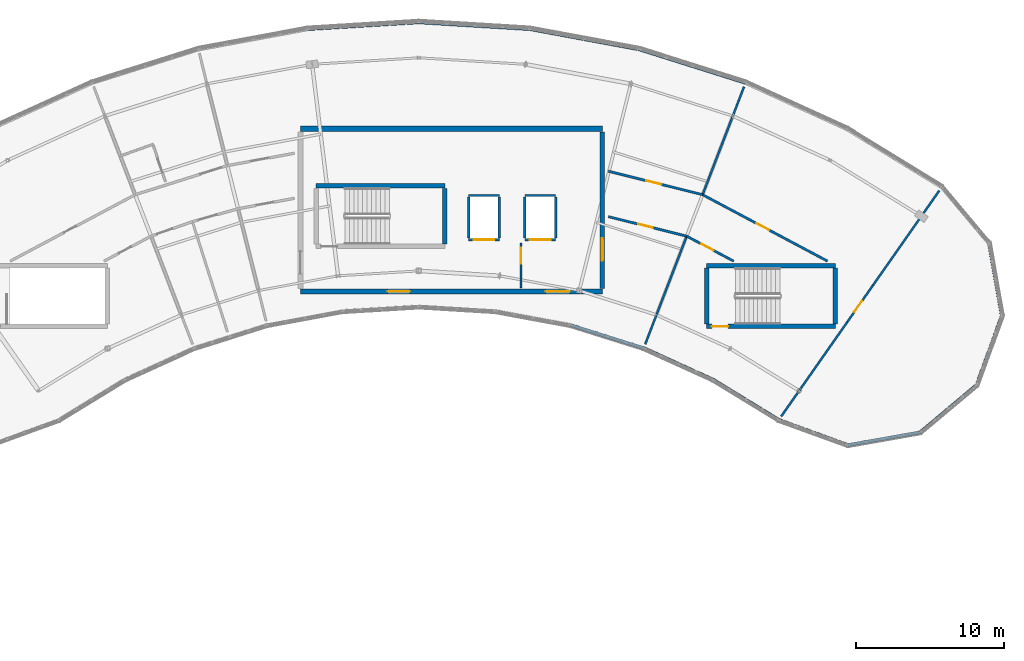
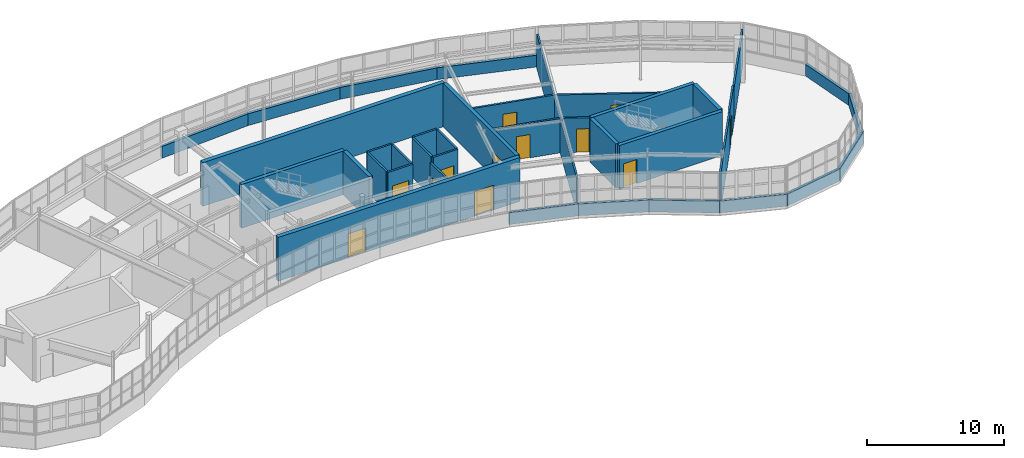
# One storey, part 56 of 60: 39 walls, 12 doors, 12 openings.
"""IFC4 building model written with IfcOpenShell, lengths in metres."""

from ifc_helpers import new_model, si_unit, direction, frame, frame_2d, origin, place, context, subcontext, project, spatial, rectangle, extrude, material, layer, layer_set, type_object, element, fill, save


model = new_model("IFC4")

# Units and contexts
model_context = context("Model", 3, precision=1e-05, world=origin(), true_north=direction((0.0, 1.0)))
body_context = subcontext(model_context, "Body", "Model", "MODEL_VIEW")
ifc_project = project(units=[si_unit("LENGTHUNIT", "METRE"), si_unit("AREAUNIT", "SQUARE_METRE"), si_unit("VOLUMEUNIT", "CUBIC_METRE"), si_unit("PLANEANGLEUNIT", "RADIAN"), si_unit("MASSUNIT", "GRAM", prefix="KILO")], contexts=[model_context])

# Site, building, storey
site_placement = place(None, origin())
site = spatial("IfcSite", under=ifc_project, at=site_placement, CompositionType="ELEMENT")
building_placement = place(site_placement, origin())
building = spatial("IfcBuilding", under=site, at=building_placement, Name="Tarnwether General Hospital", CompositionType="ELEMENT")
storey_placement = place(building_placement, frame((0.0, 0.0, 26.10009765625)))
storey = spatial("IfcBuildingStorey", under=building, at=storey_placement, Name="L06", CompositionType="ELEMENT", Elevation=26.10009765625)

# Walls
ifc_material_1 = material(Name="Streamlined white enamelled aluminium", Category="aluminium")
ifc_layer_1 = layer(ifc_material_1, 0.219970703125)
ifc_layer_set_1 = layer_set([ifc_layer_1], Name="Streamlined white enamelled aluminium")
wall_type_1 = type_object("IfcWallType", Name="WL-EX220", PredefinedType="STANDARD", material=ifc_layer_set_1)
wall_1_placement = place(storey_placement, frame((107.195068359375, 102.583984375, 0.0), z_axis=(0.0, 0.0, 1.0), x_axis=(-0.953706582316, 0.300738681994, 0.0)))
element("IfcWall", 1, at=wall_1_placement, inside=storey, type_object=wall_type_1, Name="Ward NW Streamlined White Spandrel EW-L06-0109", PredefinedType="STANDARD", context=body_context, shape_type="SweptSolid", body=[
    extrude(rectangle(XDim=5.177734375, YDim=0.219970703125, at=frame_2d((2.5888671875, 0.0))), origin(), (0.0, 0.0, 1.0), 1.0498046875),
])
for number, where, z_axis, x_axis, name in (
    (2, (111.906005859375, 100.43701171875, 0.0), (0.0, 0.0, 1.0), (-0.909955822384, 0.414705198074, 0.0), "Ward NW Streamlined White Spandrel EW-L06-0110"),
    (3, (116.320068359375, 97.73193359375, 0.0), (0.0, 0.0, 1.0), (-0.852628362135, 0.522517823698, 0.0), "Ward NW Streamlined White Spandrel EW-L06-0111"),
):
    element("IfcWall", number, at=place(storey_placement, frame(where, z_axis=z_axis, x_axis=x_axis)), inside=storey, type_object=wall_type_1, Name=name, PredefinedType="STANDARD", context=body_context, shape_type="SweptSolid", body=[
        extrude(rectangle(XDim=5.177001953125, YDim=0.219970703125, at=frame_2d((2.58837890625, 0.0))), origin(), (0.0, 0.0, 1.0), 1.0498046875),
    ])
wall_2_placement = place(storey_placement, frame((120.989013671875, 96.031982421875, 0.0), z_axis=(0.0, 0.0, 1.0), x_axis=(-0.939654190044, 0.34212571247, 0.0)))
element("IfcWall", 4, at=wall_2_placement, inside=storey, type_object=wall_type_1, Name="Ward NW Streamlined White Spandrel EW-L06-0112", PredefinedType="STANDARD", context=body_context, shape_type="SweptSolid", body=[
    extrude(rectangle(XDim=4.96875, YDim=0.219970703125, at=frame_2d((2.484375, 0.0))), origin(), (0.0, 0.0, 1.0), 1.0498046875),
])
wall_3_placement = place(storey_placement, frame((125.883056640625, 96.89501953125, 0.0), z_axis=(0.0, 0.0, 1.0), x_axis=(-0.984804817938, -0.173664822479, 0.0)))
element("IfcWall", 5, at=wall_3_placement, inside=storey, type_object=wall_type_1, Name="Ward NW Streamlined White Spandrel EW-L06-0113", PredefinedType="STANDARD", context=body_context, shape_type="SweptSolid", body=[
    extrude(rectangle(XDim=4.969482421875, YDim=0.219970703125, at=frame_2d((2.48486328125, 0.0))), origin(), (0.0, 0.0, 1.0), 1.0498046875),
])
wall_4_placement = place(storey_placement, frame((129.68994140625, 100.090087890625, 0.0), z_axis=(0.0, 0.0, 1.0), x_axis=(-0.765973821879, -0.642871763415, 0.0)))
element("IfcWall", 6, at=wall_4_placement, inside=storey, type_object=wall_type_1, Name="Ward NW Streamlined White Spandrel EW-L06-0114", PredefinedType="STANDARD", context=body_context, shape_type="SweptSolid", body=[
    extrude(rectangle(XDim=4.969970703125, YDim=0.219970703125, at=frame_2d((2.48486328125, 0.0))), origin(), (0.0, 0.0, 1.0), 1.0498046875),
])
wall_5_placement = place(storey_placement, frame((131.388916015625, 104.759033203125, 0.0), z_axis=(0.0, 0.0, 1.0), x_axis=(-0.341952160632, -0.939717361678, 0.0)))
element("IfcWall", 7, at=wall_5_placement, inside=storey, type_object=wall_type_1, Name="Ward NW Streamlined White Spandrel EW-L06-0115", PredefinedType="STANDARD", context=body_context, shape_type="SweptSolid", body=[
    extrude(rectangle(XDim=4.968505859375, YDim=0.219970703125, at=frame_2d((2.484375, 0.0))), origin(), (0.0, 0.0, 1.0), 1.0498046875),
])
wall_6_placement = place(storey_placement, frame((130.527099609375, 109.653076171875, 0.0), z_axis=(0.0, 0.0, 1.0), x_axis=(0.173426579259, -0.984846801085, 0.0)))
element("IfcWall", 8, at=wall_6_placement, inside=storey, type_object=wall_type_1, Name="Ward NW Streamlined White Spandrel EW-L06-0116", PredefinedType="STANDARD", context=body_context, shape_type="SweptSolid", body=[
    extrude(rectangle(XDim=4.96923828125, YDim=0.219970703125, at=frame_2d((2.484619140625, 0.0))), origin(), (0.0, 0.0, 1.0), 1.0498046875),
])
wall_7_placement = place(storey_placement, frame((106.902099609375, 122.77001953125, 0.0), z_axis=(0.0, 0.0, 1.0), x_axis=(0.953740021466, -0.300632618747, 0.0)))
element("IfcWall", 9, at=wall_7_placement, inside=storey, type_object=wall_type_1, Name="Ward NW Streamlined White Spandrel EW-L06-0120", PredefinedType="STANDARD", context=body_context, shape_type="SweptSolid", body=[
    extrude(rectangle(XDim=7.520751953125, YDim=0.219970703125, at=frame_2d((3.76025390625, 0.0))), origin(), (0.0, 0.0, 1.0), 1.0498046875),
])
for number, where, z_axis, x_axis, name in (
    (10, (99.507080078125, 124.14111328125, 0.0), (0.0, 0.0, 1.0), (0.983242805192, -0.18230081195, 0.0), "Ward NW Streamlined White Spandrel EW-L06-0121"),
    (11, (92.0, 124.60009765625, 0.0), (0.0, 0.0, 1.0), (0.99813616181, -0.061026244242, 0.0), "Ward NW Streamlined White Spandrel EW-L06-0122"),
    (12, (84.492919921875, 124.14111328125, 0.0), (0.0, 0.0, 1.0), (0.99813616181, 0.061026244242, 0.0), "Ward NW Streamlined White Spandrel EW-L06-0123"),
):
    element("IfcWall", number, at=place(storey_placement, frame(where, z_axis=z_axis, x_axis=x_axis)), inside=storey, type_object=wall_type_1, Name=name, PredefinedType="STANDARD", context=body_context, shape_type="SweptSolid", body=[
        extrude(rectangle(XDim=7.52099609375, YDim=0.219970703125, at=frame_2d((3.760498046875, 0.0))), origin(), (0.0, 0.0, 1.0), 1.0498046875),
    ])
ifc_material_2 = material(Name="Gypsum plasterboard")
ifc_layer_2 = layer(ifc_material_2, 0.139892578125)
ifc_layer_set_2 = layer_set([ifc_layer_2], Name="Gypsum plasterboard")
wall_type_2 = type_object("IfcWallType", Name="WL-PT140", PredefinedType="PARTITIONING", material=ifc_layer_set_2)
wall_8_placement = place(storey_placement, frame((111.173095703125, 112.947021484375, 0.0), z_axis=(0.0, 0.0, 1.0), x_axis=(0.358342954102, 0.933590020965, 0.0)))
element("IfcWall", 13, at=wall_8_placement, inside=storey, type_object=wall_type_2, Name="Interior Partition PT-L06-0486", PredefinedType="PARTITIONING", context=body_context, shape_type="SweptSolid", body=[
    extrude(rectangle(XDim=7.8193359375, YDim=0.139892578125, at=frame_2d((3.90966796875, 0.0))), origin(), (0.0, 0.0, 1.0), 3.072998046875),
])
wall_9_placement = place(storey_placement, frame((110.097900390625, 110.14599609375, 0.0), z_axis=(0.0, 0.0, 1.0), x_axis=(-0.358410014332, -0.933564278251, 0.0)))
element("IfcWall", 14, at=wall_9_placement, inside=storey, type_object=wall_type_2, Name="Interior Partition PT-L06-0488", PredefinedType="PARTITIONING", context=body_context, shape_type="SweptSolid", body=[
    extrude(rectangle(XDim=7.820556640625, YDim=0.139892578125, at=frame_2d((3.91015625, 0.0))), origin(), (0.0, 0.0, 1.0), 3.072998046875),
])
wall_10_placement = place(storey_placement, frame((122.68603515625, 106.824951171875, 0.0), z_axis=(0.0, 0.0, 1.0), x_axis=(0.573682336084, 0.819077882295, 0.0)))
element("IfcWall", 15, at=wall_10_placement, inside=storey, type_object=wall_type_2, Name="Interior Partition PT-L06-0490", PredefinedType="PARTITIONING", context=body_context, shape_type="SweptSolid", body=[
    extrude(rectangle(XDim=7.81982421875, YDim=0.139892578125, at=frame_2d((3.909912109375, 0.0))), origin(), (0.0, 0.0, 1.0), 3.126953125),
])
wall_11_placement = place(storey_placement, frame((120.966064453125, 104.366943359375, 0.0), z_axis=(0.0, 0.0, 1.0), x_axis=(-0.573623659169, -0.819118976487, 0.0)))
element("IfcWall", 16, at=wall_11_placement, inside=storey, type_object=wall_type_2, Name="Interior Partition PT-L06-0492", PredefinedType="PARTITIONING", context=body_context, shape_type="SweptSolid", body=[
    extrude(rectangle(XDim=7.820556640625, YDim=0.139892578125, at=frame_2d((3.91015625, 0.0))), origin(), (0.0, 0.0, 1.0), 3.22998046875),
])

# Wall, opening, door
wall_12_placement = place(storey_placement, frame((120.966064453125, 104.366943359375, 0.0), z_axis=(0.0, 0.0, 1.0), x_axis=(0.573320330817, 0.819331311663, 0.0)))
wall_12 = element("IfcWall", 17, at=wall_12_placement, inside=storey, type_object=wall_type_2, Name="Interior Partition PT-L06-0494", PredefinedType="PARTITIONING", context=body_context, shape_type="SweptSolid", body=[
    extrude(rectangle(XDim=3.0, YDim=0.139892578125, at=frame_2d((1.5, 0.0))), origin(), (0.0, 0.0, 1.0), 3.544921875),
])
opening_1_placement = place(wall_12_placement, frame((0.800048828125, 0.0, 0.0)))
opening_1 = element("IfcOpeningElement", 18, at=opening_1_placement, cuts=wall_12, Name="Opening D-12", PredefinedType="OPENING", context=body_context, shape_type="SweptSolid", body=[
    extrude(rectangle(XDim=0.919921875, YDim=2.0400390625, at=frame_2d((0.4599609375, 1.02001953125))), frame((0.0, 0.080078125, 0.0), z_axis=(0.0, -1.0, 0.0), x_axis=(1.0, 0.0, 0.0)), (0.0, 0.0, 1.0), 0.159912109375),
])
ifc_material_3 = material(Name="Anodised aluminium", Category="aluminium")
door_type_1 = type_object("IfcDoorType", Name="DR-IN12", OperationType="NOTDEFINED", PredefinedType="DOOR", material=ifc_material_3)
door_1_placement = place(opening_1_placement, origin())
door_1 = element("IfcDoor", 19, at=door_1_placement, inside=storey, type_object=door_type_1, Name="Interior Door DR-L06-0273", OperationType="SINGLE_SWING_LEFT", OverallHeight=2.0400390625, OverallWidth=0.919921875, PredefinedType="DOOR", context=body_context, shape_type="SweptSolid", body=[
    extrude(rectangle(XDim=0.919921875, YDim=2.0400390625, at=frame_2d((0.4599609375, 1.02001953125))), frame((0.0, 0.02490234375, 0.0), z_axis=(0.0, -1.0, 0.0), x_axis=(1.0, 0.0, 0.0)), (0.0, 0.0, 1.0), 0.050048828125),
])
fill(opening_1, door_1)

ifc_material_4 = material(Name="Gypsum plasterboard")
ifc_layer_3 = layer(ifc_material_4, 0.159912109375)
ifc_layer_set_3 = layer_set([ifc_layer_3], Name="Gypsum plasterboard")
wall_type_3 = type_object("IfcWallType", Name="WL-PT160", PredefinedType="PARTITIONING", material=ifc_layer_set_3)
wall_13_placement = place(storey_placement, frame((95.360107421875, 109.909912109375, 0.0), z_axis=(0.0, 0.0, 1.0), x_axis=(1.0, 0.0, 0.0)))
wall_13 = element("IfcWall", 20, at=wall_13_placement, inside=storey, type_object=wall_type_3, Name="Lift L-01 Shaft Wall LSH-L-01-L06-S", PredefinedType="PARTITIONING", context=body_context, shape_type="SweptSolid", body=[
    extrude(rectangle(XDim=2.079833984375, YDim=0.159912109375, at=frame_2d((1.0400390625, 0.0))), origin(), (0.0, 0.0, 1.0), 3.544921875),
])
opening_2_placement = place(wall_13_placement, frame((0.340087890625, 0.0, 0.0)))
opening_2 = element("IfcOpeningElement", 21, at=opening_2_placement, cuts=wall_13, Name="Opening LD-01", PredefinedType="OPENING", context=body_context, shape_type="SweptSolid", body=[
    extrude(rectangle(XDim=1.39990234375, YDim=2.199951171875, at=frame_2d((0.699951171875, 1.10009765625))), frame((0.0, 0.08984375, 0.0), z_axis=(0.0, -1.0, 0.0), x_axis=(1.0, 0.0, 0.0)), (0.0, 0.0, 1.0), 0.179931640625),
])
ifc_material_5 = material(Name="Anodised aluminium", Category="aluminium")
door_type_2 = type_object("IfcDoorType", Name="DR-LD01", OperationType="NOTDEFINED", PredefinedType="DOOR", material=ifc_material_5)
door_2_placement = place(opening_2_placement, origin())
door_2 = element("IfcDoor", 22, at=door_2_placement, inside=storey, type_object=door_type_2, Name="Lift L-01 Sliding Landing Door L06", OperationType="SLIDING_TO_RIGHT", OverallHeight=2.199951171875, OverallWidth=1.39990234375, PredefinedType="DOOR", context=body_context, shape_type="SweptSolid", body=[
    extrude(rectangle(XDim=1.39990234375, YDim=2.199951171875, at=frame_2d((0.699951171875, 1.10009765625))), frame((0.0, 0.02490234375, 0.0), z_axis=(0.0, -1.0, 0.0), x_axis=(1.0, 0.0, 0.0)), (0.0, 0.0, 1.0), 0.050048828125),
])
fill(opening_2, door_2)

# Walls
wall_14_placement = place(storey_placement, frame((97.43994140625, 112.889892578125, 0.0), z_axis=(0.0, 0.0, 1.0), x_axis=(-1.0, 0.0, 0.0)))
element("IfcWall", 23, at=wall_14_placement, inside=storey, type_object=wall_type_3, Name="Lift L-01 Shaft Wall LSH-L-01-L06-N", PredefinedType="PARTITIONING", context=body_context, shape_type="SweptSolid", body=[
    extrude(rectangle(XDim=2.079833984375, YDim=0.159912109375, at=frame_2d((1.0400390625, 0.0))), origin(), (0.0, 0.0, 1.0), 3.544921875),
])
for number, where, z_axis, x_axis, name in (
    (24, (95.360107421875, 112.7900390625, 0.0), (0.0, 0.0, 1.0), (0.0, -1.0, 0.0), "Lift L-01 Shaft Wall LSH-L-01-L06-W"),
    (25, (97.43994140625, 110.010009765625, 0.0), (0.0, 0.0, 1.0), (0.0, 1.0, 0.0), "Lift L-01 Shaft Wall LSH-L-01-L06-E"),
):
    element("IfcWall", number, at=place(storey_placement, frame(where, z_axis=z_axis, x_axis=x_axis)), inside=storey, type_object=wall_type_3, Name=name, PredefinedType="PARTITIONING", context=body_context, shape_type="SweptSolid", body=[
        extrude(rectangle(XDim=2.780029296875, YDim=0.159912109375, at=frame_2d((1.39013671875, 0.0))), origin(), (0.0, 0.0, 1.0), 3.544921875),
    ])

# Wall, opening, door
wall_15_placement = place(storey_placement, frame((99.159912109375, 109.909912109375, 0.0), z_axis=(0.0, 0.0, 1.0), x_axis=(1.0, 0.0, 0.0)))
wall_15 = element("IfcWall", 26, at=wall_15_placement, inside=storey, type_object=wall_type_3, Name="Lift L-03 Shaft Wall LSH-L-03-L06-S", PredefinedType="PARTITIONING", context=body_context, shape_type="SweptSolid", body=[
    extrude(rectangle(XDim=2.080078125, YDim=0.159912109375, at=frame_2d((1.0400390625, 0.0))), origin(), (0.0, 0.0, 1.0), 3.544921875),
])
opening_3_placement = place(wall_15_placement, frame((0.340087890625, 0.0, 0.0)))
opening_3 = element("IfcOpeningElement", 27, at=opening_3_placement, cuts=wall_15, Name="Opening LD-01", PredefinedType="OPENING", context=body_context, shape_type="SweptSolid", body=[
    extrude(rectangle(XDim=1.39990234375, YDim=2.199951171875, at=frame_2d((0.699951171875, 1.10009765625))), frame((0.0, 0.08984375, 0.0), z_axis=(0.0, -1.0, 0.0), x_axis=(1.0, 0.0, 0.0)), (0.0, 0.0, 1.0), 0.179931640625),
])
door_3_placement = place(opening_3_placement, origin())
door_3 = element("IfcDoor", 28, at=door_3_placement, inside=storey, type_object=door_type_2, Name="Lift L-03 Sliding Landing Door L06", OperationType="SLIDING_TO_RIGHT", OverallHeight=2.199951171875, OverallWidth=1.39990234375, PredefinedType="DOOR", context=body_context, shape_type="SweptSolid", body=[
    extrude(rectangle(XDim=1.39990234375, YDim=2.199951171875, at=frame_2d((0.699951171875, 1.10009765625))), frame((0.0, 0.02490234375, 0.0), z_axis=(0.0, -1.0, 0.0), x_axis=(1.0, 0.0, 0.0)), (0.0, 0.0, 1.0), 0.050048828125),
])
fill(opening_3, door_3)

# Walls
wall_16_placement = place(storey_placement, frame((101.239990234375, 112.889892578125, 0.0), z_axis=(0.0, 0.0, 1.0), x_axis=(-1.0, 0.0, 0.0)))
element("IfcWall", 29, at=wall_16_placement, inside=storey, type_object=wall_type_3, Name="Lift L-03 Shaft Wall LSH-L-03-L06-N", PredefinedType="PARTITIONING", context=body_context, shape_type="SweptSolid", body=[
    extrude(rectangle(XDim=2.080078125, YDim=0.159912109375, at=frame_2d((1.0400390625, 0.0))), origin(), (0.0, 0.0, 1.0), 3.544921875),
])
for number, where, z_axis, x_axis, name in (
    (30, (99.159912109375, 112.7900390625, 0.0), (0.0, 0.0, 1.0), (0.0, -1.0, 0.0), "Lift L-03 Shaft Wall LSH-L-03-L06-W"),
    (31, (101.239990234375, 110.010009765625, 0.0), (0.0, 0.0, 1.0), (0.0, 1.0, 0.0), "Lift L-03 Shaft Wall LSH-L-03-L06-E"),
):
    element("IfcWall", number, at=place(storey_placement, frame(where, z_axis=z_axis, x_axis=x_axis)), inside=storey, type_object=wall_type_3, Name=name, PredefinedType="PARTITIONING", context=body_context, shape_type="SweptSolid", body=[
        extrude(rectangle(XDim=2.780029296875, YDim=0.159912109375, at=frame_2d((1.39013671875, 0.0))), origin(), (0.0, 0.0, 1.0), 3.544921875),
    ])

# Wall, opening, door
wall_17_placement = place(storey_placement, frame((98.89990234375, 106.64990234375, 0.0), z_axis=(0.0, 0.0, 1.0), x_axis=(0.0, 1.0, 0.0)))
wall_17 = element("IfcWall", 32, at=wall_17_placement, inside=storey, type_object=wall_type_3, Name="Firefighting Lobby Divider K1 L06", PredefinedType="PARTITIONING", context=body_context, shape_type="SweptSolid", body=[
    extrude(rectangle(XDim=3.050048828125, YDim=0.159912109375, at=frame_2d((1.52490234375, 0.0))), origin(), (0.0, 0.0, 1.0), 3.27978515625),
])
opening_4_placement = place(wall_17_placement, frame((1.6298828125, 0.0, 0.0)))
opening_4 = element("IfcOpeningElement", 33, at=opening_4_placement, cuts=wall_17, Name="Opening FD-06", PredefinedType="OPENING", context=body_context, shape_type="SweptSolid", body=[
    extrude(rectangle(XDim=1.10009765625, YDim=2.14990234375, at=frame_2d((0.550048828125, 1.074951171875))), frame((0.0, 0.08984375, 0.0), z_axis=(0.0, -1.0, 0.0), x_axis=(1.0, 0.0, 0.0)), (0.0, 0.0, 1.0), 0.179931640625),
])
ifc_material_6 = material(Name="Anodised aluminium", Category="aluminium")
door_type_3 = type_object("IfcDoorType", Name="DR-FD06", OperationType="NOTDEFINED", PredefinedType="DOOR", material=ifc_material_6)
door_4_placement = place(opening_4_placement, origin())
door_4 = element("IfcDoor", 34, at=door_4_placement, inside=storey, type_object=door_type_3, Name="Core K1 Inter-Lobby Smoke Door L06", OperationType="SINGLE_SWING_RIGHT", OverallHeight=2.14990234375, OverallWidth=1.10009765625, PredefinedType="DOOR", context=body_context, shape_type="SweptSolid", body=[
    extrude(rectangle(XDim=1.10009765625, YDim=2.14990234375, at=frame_2d((0.550048828125, 1.074951171875))), frame((0.0, 0.02490234375, 0.0), z_axis=(0.0, -1.0, 0.0), x_axis=(1.0, 0.0, 0.0)), (0.0, 0.0, 1.0), 0.050048828125),
])
fill(opening_4, door_4)

wall_18_placement = place(storey_placement, frame((104.81005859375, 114.532958984375, 0.0), z_axis=(0.0, 0.0, 1.0), x_axis=(0.970315261497, -0.241843530625, 0.0)))
wall_18 = element("IfcWall", 35, at=wall_18_placement, inside=storey, type_object=wall_type_3, Name="Interior Partition PT-L06-0485", PredefinedType="PARTITIONING", context=body_context, shape_type="SweptSolid", body=[
    extrude(rectangle(XDim=6.5576171875, YDim=0.159912109375, at=frame_2d((3.27880859375, 0.0))), origin(), (0.0, 0.0, 1.0), 3.06982421875),
])
opening_5_placement = place(wall_18_placement, frame((2.62890625, 0.0, 0.0)))
opening_5 = element("IfcOpeningElement", 36, at=opening_5_placement, cuts=wall_18, Name="Opening D-08", PredefinedType="OPENING", context=body_context, shape_type="SweptSolid", body=[
    extrude(rectangle(XDim=1.06005859375, YDim=2.10009765625, at=frame_2d((0.530029296875, 1.050048828125))), frame((0.0, 0.08984375, 0.0), z_axis=(0.0, -1.0, 0.0), x_axis=(1.0, 0.0, 0.0)), (0.0, 0.0, 1.0), 0.179931640625),
])
ifc_material_7 = material(Name="Anodised aluminium", Category="aluminium")
door_type_4 = type_object("IfcDoorType", Name="DR-IN08", OperationType="NOTDEFINED", PredefinedType="DOOR", material=ifc_material_7)
door_5_placement = place(opening_5_placement, origin())
door_5 = element("IfcDoor", 37, at=door_5_placement, inside=storey, type_object=door_type_4, Name="Interior Door DR-L06-0269", OperationType="SINGLE_SWING_LEFT", OverallHeight=2.10009765625, OverallWidth=1.06005859375, PredefinedType="DOOR", context=body_context, shape_type="SweptSolid", body=[
    extrude(rectangle(XDim=1.06005859375, YDim=2.10009765625, at=frame_2d((0.530029296875, 1.050048828125))), frame((0.0, 0.02490234375, 0.0), z_axis=(0.0, -1.0, 0.0), x_axis=(1.0, 0.0, 0.0)), (0.0, 0.0, 1.0), 0.050048828125),
])
fill(opening_5, door_5)

wall_19_placement = place(storey_placement, frame((104.81005859375, 111.464111328125, 0.0), z_axis=(0.0, 0.0, 1.0), x_axis=(0.970308293834, -0.241871484298, 0.0)))
wall_19 = element("IfcWall", 38, at=wall_19_placement, inside=storey, type_object=wall_type_3, Name="Interior Partition PT-L06-0487", PredefinedType="PARTITIONING", context=body_context, shape_type="SweptSolid", body=[
    extrude(rectangle(XDim=5.44970703125, YDim=0.159912109375, at=frame_2d((2.724853515625, 0.0))), origin(), (0.0, 0.0, 1.0), 3.072998046875),
])
opening_6_placement = place(wall_19_placement, frame((2.074951171875, 0.0, 0.0)))
opening_6 = element("IfcOpeningElement", 39, at=opening_6_placement, cuts=wall_19, Name="Opening D-09", PredefinedType="OPENING", context=body_context, shape_type="SweptSolid", body=[
    extrude(rectangle(XDim=1.02001953125, YDim=2.080078125, at=frame_2d((0.510009765625, 1.0400390625))), frame((0.0, 0.08984375, 0.0), z_axis=(0.0, -1.0, 0.0), x_axis=(1.0, 0.0, 0.0)), (0.0, 0.0, 1.0), 0.179931640625),
])
ifc_material_8 = material(Name="Anodised aluminium", Category="aluminium")
door_type_5 = type_object("IfcDoorType", Name="DR-IN09", OperationType="NOTDEFINED", PredefinedType="DOOR", material=ifc_material_8)
door_6_placement = place(opening_6_placement, origin())
door_6 = element("IfcDoor", 40, at=door_6_placement, inside=storey, type_object=door_type_5, Name="Interior Door DR-L06-0270", OperationType="SINGLE_SWING_RIGHT", OverallHeight=2.080078125, OverallWidth=1.02001953125, PredefinedType="DOOR", context=body_context, shape_type="SweptSolid", body=[
    extrude(rectangle(XDim=1.02001953125, YDim=2.080078125, at=frame_2d((0.510009765625, 1.0400390625))), frame((0.0, 0.02490234375, 0.0), z_axis=(0.0, -1.0, 0.0), x_axis=(1.0, 0.0, 0.0)), (0.0, 0.0, 1.0), 0.050048828125),
])
fill(opening_6, door_6)

wall_20_placement = place(storey_placement, frame((111.173095703125, 112.947021484375, 0.0), z_axis=(0.0, 0.0, 1.0), x_axis=(0.882925792416, -0.46951256116, 0.0)))
wall_20 = element("IfcWall", 41, at=wall_20_placement, inside=storey, type_object=wall_type_3, Name="Interior Partition PT-L06-0489", PredefinedType="PARTITIONING", context=body_context, shape_type="SweptSolid", body=[
    extrude(rectangle(XDim=9.556884765625, YDim=0.159912109375, at=frame_2d((4.7783203125, 0.0))), origin(), (0.0, 0.0, 1.0), 3.072998046875),
])
opening_7_placement = place(wall_20_placement, frame((4.12890625, 0.0, 0.0)))
opening_7 = element("IfcOpeningElement", 42, at=opening_7_placement, cuts=wall_20, Name="Opening D-10", PredefinedType="OPENING", context=body_context, shape_type="SweptSolid", body=[
    extrude(rectangle(XDim=0.9599609375, YDim=2.06005859375, at=frame_2d((0.47998046875, 1.030029296875))), frame((0.0, 0.08984375, 0.0), z_axis=(0.0, -1.0, 0.0), x_axis=(1.0, 0.0, 0.0)), (0.0, 0.0, 1.0), 0.179931640625),
])
ifc_material_9 = material(Name="Anodised aluminium", Category="aluminium")
door_type_6 = type_object("IfcDoorType", Name="DR-IN10", OperationType="NOTDEFINED", PredefinedType="DOOR", material=ifc_material_9)
door_7_placement = place(opening_7_placement, origin())
door_7 = element("IfcDoor", 43, at=door_7_placement, inside=storey, type_object=door_type_6, Name="Interior Door DR-L06-0271", OperationType="SINGLE_SWING_LEFT", OverallHeight=2.06005859375, OverallWidth=0.9599609375, PredefinedType="DOOR", context=body_context, shape_type="SweptSolid", body=[
    extrude(rectangle(XDim=0.9599609375, YDim=2.06005859375, at=frame_2d((0.47998046875, 1.030029296875))), frame((0.0, 0.02490234375, 0.0), z_axis=(0.0, -1.0, 0.0), x_axis=(1.0, 0.0, 0.0)), (0.0, 0.0, 1.0), 0.050048828125),
])
fill(opening_7, door_7)

wall_21_placement = place(storey_placement, frame((110.097900390625, 110.14599609375, 0.0), z_axis=(0.0, 0.0, 1.0), x_axis=(0.882958125757, -0.46945175275, 0.0)))
wall_21 = element("IfcWall", 44, at=wall_21_placement, inside=storey, type_object=wall_type_3, Name="Interior Partition PT-L06-0491", PredefinedType="PARTITIONING", context=body_context, shape_type="SweptSolid", body=[
    extrude(rectangle(XDim=3.591552734375, YDim=0.159912109375, at=frame_2d((1.7958984375, 0.0))), origin(), (0.0, 0.0, 1.0), 3.072998046875),
])
opening_8_placement = place(wall_21_placement, frame((1.14599609375, 0.0, 0.0)))
opening_8 = element("IfcOpeningElement", 45, at=opening_8_placement, cuts=wall_21, Name="Opening D-11", PredefinedType="OPENING", context=body_context, shape_type="SweptSolid", body=[
    extrude(rectangle(XDim=0.89990234375, YDim=2.10009765625, at=frame_2d((0.449951171875, 1.050048828125))), frame((0.0, 0.08984375, 0.0), z_axis=(0.0, -1.0, 0.0), x_axis=(1.0, 0.0, 0.0)), (0.0, 0.0, 1.0), 0.179931640625),
])
ifc_material_10 = material(Name="Anodised aluminium", Category="aluminium")
door_type_7 = type_object("IfcDoorType", Name="DR-IN11", OperationType="NOTDEFINED", PredefinedType="DOOR", material=ifc_material_10)
door_8_placement = place(opening_8_placement, origin())
door_8 = element("IfcDoor", 46, at=door_8_placement, inside=storey, type_object=door_type_7, Name="Interior Door DR-L06-0272", OperationType="SINGLE_SWING_RIGHT", OverallHeight=2.10009765625, OverallWidth=0.89990234375, PredefinedType="DOOR", context=body_context, shape_type="SweptSolid", body=[
    extrude(rectangle(XDim=0.89990234375, YDim=2.10009765625, at=frame_2d((0.449951171875, 1.050048828125))), frame((0.0, 0.02490234375, 0.0), z_axis=(0.0, -1.0, 0.0), x_axis=(1.0, 0.0, 0.0)), (0.0, 0.0, 1.0), 0.050048828125),
])
fill(opening_8, door_8)

ifc_material_11 = material(Name="Concrete 50 MPa", Category="concrete")
ifc_layer_4 = layer(ifc_material_11, 0.300048828125)
ifc_layer_set_4 = layer_set([ifc_layer_4], Name="Concrete 50 MPa")
wall_type_4 = type_object("IfcWallType", Name="WL-SW300", PredefinedType="SHEAR", material=ifc_layer_set_4)
wall_22_placement = place(storey_placement, frame((104.39990234375, 117.199951171875, 0.0), z_axis=(0.0, 0.0, 1.0), x_axis=(0.0, -1.0, 0.0)))
wall_22 = element("IfcWall", 47, at=wall_22_placement, inside=storey, type_object=wall_type_4, Name="Core Shear Wall CWALL-K1-L06-E", PredefinedType="SHEAR", context=body_context, shape_type="SweptSolid", body=[
    extrude(rectangle(XDim=10.599853515625, YDim=0.300048828125, at=frame_2d((5.2998046875, 0.0))), origin(), (0.0, 0.0, 1.0), 3.89990234375),
])
opening_9_placement = place(wall_22_placement, frame((7.199951171875, 0.0, 0.0)))
opening_9 = element("IfcOpeningElement", 48, at=opening_9_placement, cuts=wall_22, Name="Opening FD-02", PredefinedType="OPENING", context=body_context, shape_type="SweptSolid", body=[
    extrude(rectangle(XDim=1.52001953125, YDim=2.159912109375, at=frame_2d((0.760009765625, 1.080078125))), frame((0.0, 0.16015625, 0.0), z_axis=(0.0, -1.0, 0.0), x_axis=(1.0, 0.0, 0.0)), (0.0, 0.0, 1.0), 0.320068359375),
])
ifc_material_12 = material(Name="Anodised aluminium", Category="aluminium")
door_type_8 = type_object("IfcDoorType", Name="DR-FD02", OperationType="NOTDEFINED", PredefinedType="DOOR", material=ifc_material_12)
door_9_placement = place(opening_9_placement, origin())
door_9 = element("IfcDoor", 49, at=door_9_placement, inside=storey, type_object=door_type_8, Name="Core K1 Ward Corridor Fire Door L06", OperationType="SINGLE_SWING_LEFT", OverallHeight=2.159912109375, OverallWidth=1.52001953125, PredefinedType="DOOR", context=body_context, shape_type="SweptSolid", body=[
    extrude(rectangle(XDim=1.52001953125, YDim=2.159912109375, at=frame_2d((0.760009765625, 1.080078125))), frame((0.0, 0.02490234375, 0.0), z_axis=(0.0, -1.0, 0.0), x_axis=(1.0, 0.0, 0.0)), (0.0, 0.0, 1.0), 0.050048828125),
])
fill(opening_9, door_9)

# Walls
wall_23_placement = place(storey_placement, frame((93.75, 113.550048828125, 0.0), z_axis=(0.0, 0.0, 1.0), x_axis=(-1.0, 0.0, 0.0)))
element("IfcWall", 50, at=wall_23_placement, inside=storey, type_object=wall_type_4, Name="Stairwell Shear Wall STW-ST-01-L06-N", PredefinedType="SHEAR", context=body_context, shape_type="SweptSolid", body=[
    extrude(rectangle(XDim=8.699951171875, YDim=0.300048828125, at=frame_2d((4.35009765625, 0.0))), origin(), (0.0, 0.0, 1.0), 3.89990234375),
])
wall_24_placement = place(storey_placement, frame((93.75, 109.6201171875, 0.0), z_axis=(0.0, 0.0, 1.0), x_axis=(0.0, 1.0, 0.0)))
element("IfcWall", 51, at=wall_24_placement, inside=storey, type_object=wall_type_4, Name="Stairwell Shear Wall STW-ST-01-L06-F", PredefinedType="SHEAR", context=body_context, shape_type="SweptSolid", body=[
    extrude(rectangle(XDim=3.759765625, YDim=0.300048828125, at=frame_2d((1.8798828125, 0.0))), origin(), (0.0, 0.0, 1.0), 3.89990234375),
])

# Wall, opening, door
wall_25_placement = place(storey_placement, frame((111.449951171875, 104.050048828125, 0.0), z_axis=(0.0, 0.0, 1.0), x_axis=(1.0, 0.0, 0.0)))
wall_25 = element("IfcWall", 52, at=wall_25_placement, inside=storey, type_object=wall_type_4, Name="Stairwell Shear Wall STW-ST-08-L06-B", PredefinedType="SHEAR", context=body_context, shape_type="SweptSolid", body=[
    extrude(rectangle(XDim=8.699951171875, YDim=0.300048828125, at=frame_2d((4.35009765625, 0.0))), origin(), (0.0, 0.0, 1.0), 3.89990234375),
])
opening_10_placement = place(wall_25_placement, frame((0.35009765625, 0.0, 0.0)))
opening_10 = element("IfcOpeningElement", 53, at=opening_10_placement, cuts=wall_25, Name="Opening FD-06", PredefinedType="OPENING", context=body_context, shape_type="SweptSolid", body=[
    extrude(rectangle(XDim=1.10009765625, YDim=2.14990234375, at=frame_2d((0.550048828125, 1.074951171875))), frame((0.0, 0.16015625, 0.0), z_axis=(0.0, -1.0, 0.0), x_axis=(1.0, 0.0, 0.0)), (0.0, 0.0, 1.0), 0.320068359375),
])
door_10_placement = place(opening_10_placement, origin())
door_10 = element("IfcDoor", 54, at=door_10_placement, inside=storey, type_object=door_type_3, Name="Stairwell ST-08 Safe-Path Fire Door L06", OperationType="SINGLE_SWING_RIGHT", OverallHeight=2.14990234375, OverallWidth=1.10009765625, PredefinedType="DOOR", context=body_context, shape_type="SweptSolid", body=[
    extrude(rectangle(XDim=1.10009765625, YDim=2.14990234375, at=frame_2d((0.550048828125, 1.074951171875))), frame((0.0, 0.02490234375, 0.0), z_axis=(0.0, -1.0, 0.0), x_axis=(1.0, 0.0, 0.0)), (0.0, 0.0, 1.0), 0.050048828125),
])
fill(opening_10, door_10)

# Walls
wall_26_placement = place(storey_placement, frame((120.14990234375, 108.14990234375, 0.0), z_axis=(0.0, 0.0, 1.0), x_axis=(-1.0, 0.0, 0.0)))
element("IfcWall", 55, at=wall_26_placement, inside=storey, type_object=wall_type_4, Name="Stairwell Shear Wall STW-ST-08-L06-N", PredefinedType="SHEAR", context=body_context, shape_type="SweptSolid", body=[
    extrude(rectangle(XDim=8.699951171875, YDim=0.300048828125, at=frame_2d((4.35009765625, 0.0))), origin(), (0.0, 0.0, 1.0), 3.89990234375),
])
for number, where, z_axis, x_axis, name in (
    (56, (111.449951171875, 104.219970703125, 0.0), (0.0, 0.0, 1.0), (0.0, 1.0, 0.0), "Stairwell Shear Wall STW-ST-08-L06-L"),
    (57, (120.14990234375, 104.219970703125, 0.0), (0.0, 0.0, 1.0), (0.0, 1.0, 0.0), "Stairwell Shear Wall STW-ST-08-L06-F"),
):
    element("IfcWall", number, at=place(storey_placement, frame(where, z_axis=z_axis, x_axis=x_axis)), inside=storey, type_object=wall_type_4, Name=name, PredefinedType="SHEAR", context=body_context, shape_type="SweptSolid", body=[
        extrude(rectangle(XDim=3.760009765625, YDim=0.300048828125, at=frame_2d((1.8798828125, 0.0))), origin(), (0.0, 0.0, 1.0), 3.89990234375),
    ])
ifc_material_13 = material(Name="Concrete 50 MPa", Category="concrete")
ifc_layer_5 = layer(ifc_material_13, 0.35009765625)
ifc_layer_set_5 = layer_set([ifc_layer_5], Name="Concrete 50 MPa")
wall_type_5 = type_object("IfcWallType", Name="WL-SW350", PredefinedType="SHEAR", material=ifc_layer_set_5)
wall_27_placement = place(storey_placement, frame((84.0, 117.39990234375, 0.0), z_axis=(0.0, 0.0, 1.0), x_axis=(1.0, 0.0, 0.0)))
element("IfcWall", 58, at=wall_27_placement, inside=storey, type_object=wall_type_5, Name="Core Shear Wall CWALL-K1-L06-N", PredefinedType="SHEAR", context=body_context, shape_type="SweptSolid", body=[
    extrude(rectangle(XDim=20.39990234375, YDim=0.35009765625, at=frame_2d((10.199951171875, 0.0))), origin(), (0.0, 0.0, 1.0), 3.89990234375),
])

# Wall, openings, doors
wall_28_placement = place(storey_placement, frame((104.39990234375, 106.39990234375, 0.0), z_axis=(0.0, 0.0, 1.0), x_axis=(-1.0, 0.0, 0.0)))
wall_28 = element("IfcWall", 59, at=wall_28_placement, inside=storey, type_object=wall_type_5, Name="Core Shear Wall CWALL-K1-L06-S", PredefinedType="SHEAR", context=body_context, shape_type="SweptSolid", body=[
    extrude(rectangle(XDim=20.39990234375, YDim=0.35009765625, at=frame_2d((10.199951171875, 0.0))), origin(), (0.0, 0.0, 1.0), 3.89990234375),
])
opening_11_placement = place(wall_28_placement, frame((2.199951171875, 0.0, 0.0)))
opening_11 = element("IfcOpeningElement", 60, at=opening_11_placement, cuts=wall_28, Name="Opening FD-01", PredefinedType="OPENING", context=body_context, shape_type="SweptSolid", body=[
    extrude(rectangle(XDim=1.639892578125, YDim=2.199951171875, at=frame_2d((0.81982421875, 1.10009765625))), frame((0.0, 0.18505859375, 0.0), z_axis=(0.0, -1.0, 0.0), x_axis=(1.0, 0.0, 0.0)), (0.0, 0.0, 1.0), 0.3701171875),
])
opening_12_placement = place(wall_28_placement, frame((13.0, 0.0, 0.0)))
opening_12 = element("IfcOpeningElement", 61, at=opening_12_placement, cuts=wall_28, Name="Opening FD-02", PredefinedType="OPENING", context=body_context, shape_type="SweptSolid", body=[
    extrude(rectangle(XDim=1.52001953125, YDim=2.159912109375, at=frame_2d((0.760009765625, 1.080078125))), frame((0.0, 0.18505859375, 0.0), z_axis=(0.0, -1.0, 0.0), x_axis=(1.0, 0.0, 0.0)), (0.0, 0.0, 1.0), 0.3701171875),
])
ifc_material_14 = material(Name="Anodised aluminium", Category="aluminium")
door_type_9 = type_object("IfcDoorType", Name="DR-FD01", OperationType="NOTDEFINED", PredefinedType="DOOR", material=ifc_material_14)
door_11_placement = place(opening_11_placement, origin())
door_11 = element("IfcDoor", 62, at=door_11_placement, inside=storey, type_object=door_type_9, Name="Core K1 Lobby Fire Door L06", OperationType="DOUBLE_DOOR_SINGLE_SWING", OverallHeight=2.199951171875, OverallWidth=1.639892578125, PredefinedType="DOOR", context=body_context, shape_type="SweptSolid", body=[
    extrude(rectangle(XDim=1.639892578125, YDim=2.199951171875, at=frame_2d((0.81982421875, 1.10009765625))), frame((0.0, 0.02490234375, 0.0), z_axis=(0.0, -1.0, 0.0), x_axis=(1.0, 0.0, 0.0)), (0.0, 0.0, 1.0), 0.050048828125),
])
fill(opening_11, door_11)
door_12_placement = place(opening_12_placement, origin())
door_12 = element("IfcDoor", 63, at=door_12_placement, inside=storey, type_object=door_type_8, Name="Core K1 Firefighting Lobby Door L06", OperationType="SINGLE_SWING_LEFT", OverallHeight=2.159912109375, OverallWidth=1.52001953125, PredefinedType="DOOR", context=body_context, shape_type="SweptSolid", body=[
    extrude(rectangle(XDim=1.52001953125, YDim=2.159912109375, at=frame_2d((0.760009765625, 1.080078125))), frame((0.0, 0.02490234375, 0.0), z_axis=(0.0, -1.0, 0.0), x_axis=(1.0, 0.0, 0.0)), (0.0, 0.0, 1.0), 0.050048828125),
])
fill(opening_12, door_12)

save(model, "model.ifc")
